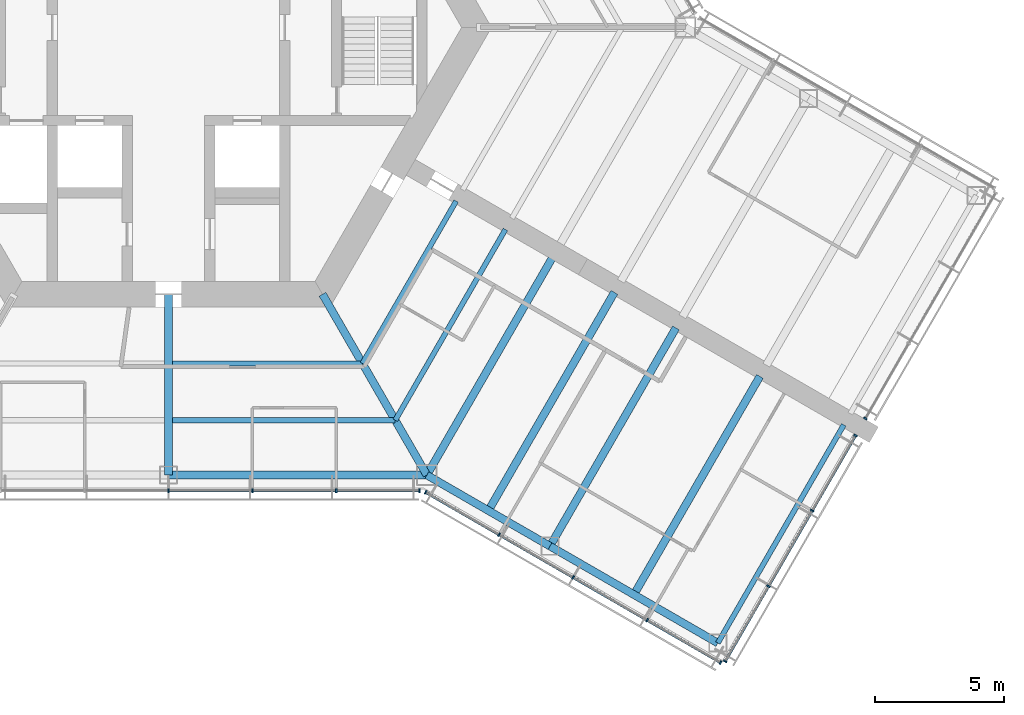
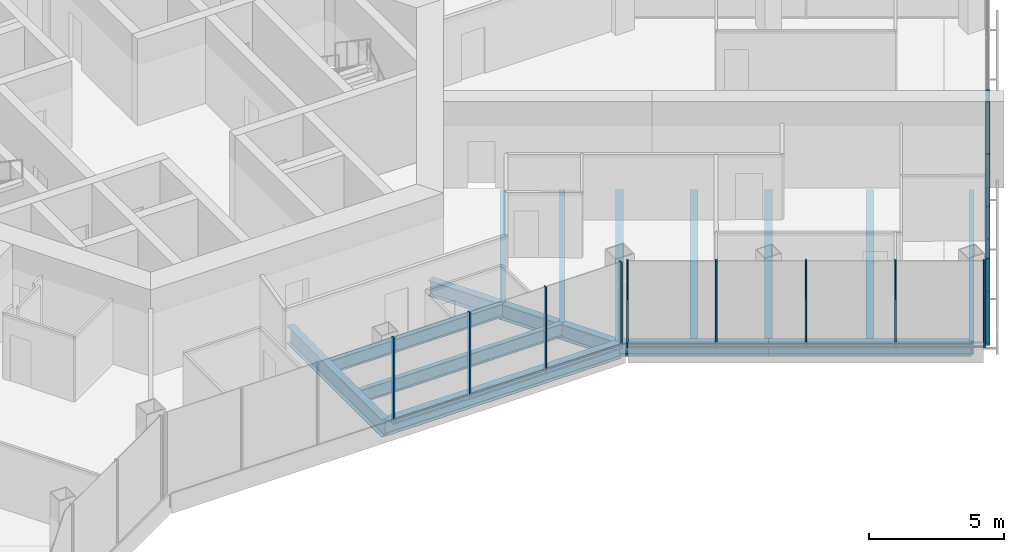
# One storey, part 5 of 19: 24 members, 14 beams, 4 elements without a shape of their own.
"""IFC4 building model written with IfcOpenShell, lengths in metres."""

from ifc_helpers import new_model, si_unit, direction, frame, origin, origin_2d, place, context, subcontext, project, spatial, rectangle, i_section, extrude, material, material_profile, profile_set, type_object, element, aggregate, save


model = new_model("IFC4")

# Units and contexts
model_context = context("Model", 3, precision=1e-05, world=origin(), true_north=direction((0.0, 1.0)))
body_context = subcontext(model_context, "Body", "Model", "MODEL_VIEW")
ifc_project = project(units=[si_unit("LENGTHUNIT", "METRE"), si_unit("AREAUNIT", "SQUARE_METRE"), si_unit("VOLUMEUNIT", "CUBIC_METRE"), si_unit("PLANEANGLEUNIT", "RADIAN"), si_unit("MASSUNIT", "GRAM", prefix="KILO")], contexts=[model_context])

# Site, building, storey
site_placement = place(None, origin())
site = spatial("IfcSite", under=ifc_project, at=site_placement, CompositionType="ELEMENT")
building_placement = place(site_placement, origin())
building = spatial("IfcBuilding", under=site, at=building_placement, Name="Kasaneha Research Tower", CompositionType="ELEMENT")
storey_placement = place(building_placement, frame((0.0, 0.0, 160.39990234375)))
storey = spatial("IfcBuildingStorey", under=building, at=storey_placement, Name="L40", CompositionType="ELEMENT", Elevation=160.39990234375)

# Beams
ifc_material_1 = material(Name="Steel SN490B", Category="steel")
ifc_material_profile_1 = material_profile(ifc_material_1, i_section(OverallWidth=0.199951171875, OverallDepth=0.60009765625, WebThickness=0.010986328125, FlangeThickness=0.01708984375, FilletRadius=0.012939453125, at=origin_2d()), Name="H-600x200x11x17")
ifc_profile_set_1 = profile_set([ifc_material_profile_1], Name="Steel SN490B")
beam_type_1 = type_object("IfcBeamType", Name="B1-3 secondary beam H-600x200x11x17", PredefinedType="JOIST", material=ifc_profile_set_1)
beam_1_placement = place(storey_placement, frame((7.505615234375, -13.0, -0.449951171875), z_axis=(-1.0, 0.0, 0.0), x_axis=(0.0, -1.0, 0.0)))
element("IfcBeam", 1, at=beam_1_placement, inside=storey, type_object=beam_type_1, Name="Secondary beam RS270R1 L40", PredefinedType="JOIST", context=body_context, shape_type="SweptSolid", body=[
    extrude(i_section(OverallWidth=0.199951171875, OverallDepth=0.60009765625, WebThickness=0.010986328125, FlangeThickness=0.01708984375, FilletRadius=0.012939453125, at=origin_2d()), origin(), (0.0, 0.0, 1.0), 7.355712890625),
])
beam_2_placement = place(storey_placement, frame((8.775634765625, -15.199951171875, -0.449951171875), z_axis=(-1.0, 0.0, 0.0), x_axis=(0.0, -1.0, 0.0)))
element("IfcBeam", 2, at=beam_2_placement, inside=storey, type_object=beam_type_1, Name="Secondary beam RS270R2 L40", PredefinedType="JOIST", context=body_context, shape_type="SweptSolid", body=[
    extrude(i_section(OverallWidth=0.199951171875, OverallDepth=0.60009765625, WebThickness=0.010986328125, FlangeThickness=0.01708984375, FilletRadius=0.012939453125, at=origin_2d()), origin(), (0.0, 0.0, 1.0), 8.625732421875),
])
beam_3_placement = place(storey_placement, frame((7.505615234375, -13.0, -0.449951171875), z_axis=(0.499993340521, 0.866029248602, 0.0), x_axis=(-0.866029248602, 0.499993340521, 0.0)))
element("IfcBeam", 3, at=beam_3_placement, inside=storey, type_object=beam_type_1, Name="Secondary beam RS330L1 L40", PredefinedType="JOIST", context=body_context, shape_type="SweptSolid", body=[
    extrude(i_section(OverallWidth=0.199951171875, OverallDepth=0.60009765625, WebThickness=0.010986328125, FlangeThickness=0.01708984375, FilletRadius=0.012939453125, at=origin_2d()), origin(), (0.0, 0.0, 1.0), 7.25537109375),
])
beam_4_placement = place(storey_placement, frame((8.775634765625, -15.199951171875, -0.449951171875), z_axis=(0.500004205306, 0.866022975836, 0.0), x_axis=(-0.866022975836, 0.500004205306, 0.0)))
element("IfcBeam", 4, at=beam_4_placement, inside=storey, type_object=beam_type_1, Name="Secondary beam RS330L2 L40", PredefinedType="JOIST", context=body_context, shape_type="SweptSolid", body=[
    extrude(i_section(OverallWidth=0.199951171875, OverallDepth=0.60009765625, WebThickness=0.010986328125, FlangeThickness=0.01708984375, FilletRadius=0.012939453125, at=origin_2d()), origin(), (0.0, 0.0, 1.0), 8.52587890625),
])
ifc_material_2 = material(Name="Steel SN490B", Category="steel")
ifc_material_profile_2 = material_profile(ifc_material_2, i_section(OverallWidth=0.300048828125, OverallDepth=0.58203125, WebThickness=0.011962890625, FlangeThickness=0.01708984375, FilletRadius=0.012939453125, at=origin_2d()), Name="H-582x300x12x17")
ifc_profile_set_2 = profile_set([ifc_material_profile_2], Name="Steel SN490B")
beam_type_2 = type_object("IfcBeamType", Name="B2-3 secondary beam H-582x300x12x17", PredefinedType="JOIST", material=ifc_profile_set_2)
for number, where, z_axis, x_axis, name in (
    (5, (12.381591796875, -18.695556640625, -0.44091796875), (0.499995560238, 0.866027967067, 0.0), (-0.866027967067, 0.499995560238, 0.0), "Secondary beam WBCP1 L40"),
    (6, (18.0107421875, -21.945556640625, -0.44091796875), (0.499995560238, 0.866027967067, 0.0), (-0.866027967067, 0.499995560238, 0.0), "Secondary beam WBCP2 L40"),
):
    element("IfcBeam", number, at=place(storey_placement, frame(where, z_axis=z_axis, x_axis=x_axis)), inside=storey, type_object=beam_type_2, Name=name, PredefinedType="JOIST", context=body_context, shape_type="SweptSolid", body=[
        extrude(i_section(OverallWidth=0.300048828125, OverallDepth=0.58203125, WebThickness=0.011962890625, FlangeThickness=0.01708984375, FilletRadius=0.012939453125, at=origin_2d()), origin(), (0.0, 0.0, 1.0), 9.75),
    ])

# Curtain wall, members
ifc_material_3 = material(Name="Glass and aluminium", Category="aluminium")
curtain_wall_type = type_object("IfcCurtainWallType", Name="Mid-rise office curtain wall", PredefinedType="USERDEFINED", material=ifc_material_3)
curtain_wall_1_placement = place(storey_placement, origin())
curtain_wall_1 = element("IfcCurtainWall", 7, at=curtain_wall_1_placement, inside=storey, type_object=curtain_wall_type, Name="CW-O2 L40 run 01a", ObjectType="UNITISED CURTAIN WALL", PredefinedType="USERDEFINED")
ifc_material_4 = material(Name="Aluminium 6063-T6", Category="aluminium")
ifc_material_profile_3 = material_profile(ifc_material_4, rectangle(XDim=0.06005859375, YDim=0.14990234375, at=origin_2d()), Name="CW-O2 mullion 60x150")
ifc_profile_set_3 = profile_set([ifc_material_profile_3], Name="Aluminium 6063-T6")
member_type_1 = type_object("IfcMemberType", Name="CW-O2 mullion", PredefinedType="MULLION", material=ifc_profile_set_3)
member_1_placement = place(storey_placement, frame((0.0, -17.92041015625, 0.0), z_axis=(0.0, 0.0, 1.0), x_axis=(1.0, 0.0, 0.0)))
member_1 = element("IfcMember", 8, at=member_1_placement, type_object=member_type_1, Name="CW-O2 mullion 4", PredefinedType="MULLION", context=body_context, shape_type="SweptSolid", body=[
    extrude(rectangle(XDim=0.06005859375, YDim=0.14990234375, at=origin_2d()), origin(), (0.0, 0.0, 1.0), 3.900146484375),
])
member_2_placement = place(storey_placement, frame((3.246337890625, -17.92041015625, 0.0), z_axis=(0.0, 0.0, 1.0), x_axis=(1.0, 0.0, 0.0)))
member_2 = element("IfcMember", 9, at=member_2_placement, type_object=member_type_1, Name="CW-O2 mullion 5", PredefinedType="MULLION", context=body_context, shape_type="SweptSolid", body=[
    extrude(rectangle(XDim=0.06005859375, YDim=0.14990234375, at=origin_2d()), origin(), (0.0, 0.0, 1.0), 3.900146484375),
])
member_3_placement = place(storey_placement, frame((6.492919921875, -17.92041015625, 0.0), z_axis=(0.0, 0.0, 1.0), x_axis=(1.0, 0.0, 0.0)))
member_3 = element("IfcMember", 10, at=member_3_placement, type_object=member_type_1, Name="CW-O2 mullion 6", PredefinedType="MULLION", context=body_context, shape_type="SweptSolid", body=[
    extrude(rectangle(XDim=0.06005859375, YDim=0.14990234375, at=origin_2d()), origin(), (0.0, 0.0, 1.0), 3.900146484375),
])
member_4_placement = place(storey_placement, frame((9.709228515625, -17.92041015625, 0.0), z_axis=(0.0, 0.0, 1.0), x_axis=(1.0, 0.0, 0.0)))
member_4 = element("IfcMember", 11, at=member_4_placement, type_object=member_type_1, Name="CW-O2 mullion 7", PredefinedType="MULLION", context=body_context, shape_type="SweptSolid", body=[
    extrude(rectangle(XDim=0.06005859375, YDim=0.14990234375, at=origin_2d()), origin(), (0.0, 0.0, 1.0), 3.900146484375),
])

curtain_wall_2_placement = place(storey_placement, origin())
curtain_wall_2 = element("IfcCurtainWall", 12, at=curtain_wall_2_placement, inside=storey, type_object=curtain_wall_type, Name="CW-O2 L40 run 02a", ObjectType="UNITISED CURTAIN WALL", PredefinedType="USERDEFINED")
member_5_placement = place(storey_placement, frame((9.951904296875, -17.985595703125, 0.0), z_axis=(0.0, 0.0, 1.0), x_axis=(0.866025411464, -0.499999986699, 0.0)))
member_5 = element("IfcMember", 13, at=member_5_placement, type_object=member_type_1, Name="CW-O2 mullion 1", PredefinedType="MULLION", context=body_context, shape_type="SweptSolid", body=[
    extrude(rectangle(XDim=0.06005859375, YDim=0.14990234375, at=origin_2d()), origin(), (0.0, 0.0, 1.0), 3.900146484375),
])
member_6_placement = place(storey_placement, frame((12.792236328125, -19.62548828125, 0.0), z_axis=(0.0, 0.0, 1.0), x_axis=(0.866025411464, -0.499999986699, 0.0)))
member_6 = element("IfcMember", 14, at=member_6_placement, type_object=member_type_1, Name="CW-O2 mullion 2", PredefinedType="MULLION", context=body_context, shape_type="SweptSolid", body=[
    extrude(rectangle(XDim=0.06005859375, YDim=0.14990234375, at=origin_2d()), origin(), (0.0, 0.0, 1.0), 3.900146484375),
])
member_7_placement = place(storey_placement, frame((15.65869140625, -21.2802734375, 0.0), z_axis=(0.0, 0.0, 1.0), x_axis=(0.866025411464, -0.499999986699, 0.0)))
member_7 = element("IfcMember", 15, at=member_7_placement, type_object=member_type_1, Name="CW-O2 mullion 3", PredefinedType="MULLION", context=body_context, shape_type="SweptSolid", body=[
    extrude(rectangle(XDim=0.06005859375, YDim=0.14990234375, at=origin_2d()), origin(), (0.0, 0.0, 1.0), 3.900146484375),
])
member_8_placement = place(storey_placement, frame((18.52490234375, -22.935302734375, 0.0), z_axis=(0.0, 0.0, 1.0), x_axis=(0.866025411464, -0.499999986699, 0.0)))
member_8 = element("IfcMember", 16, at=member_8_placement, type_object=member_type_1, Name="CW-O2 mullion 4", PredefinedType="MULLION", context=body_context, shape_type="SweptSolid", body=[
    extrude(rectangle(XDim=0.06005859375, YDim=0.14990234375, at=origin_2d()), origin(), (0.0, 0.0, 1.0), 3.900146484375),
])
member_9_placement = place(storey_placement, frame((21.365478515625, -24.5751953125, 0.0), z_axis=(0.0, 0.0, 1.0), x_axis=(0.866025411464, -0.499999986699, 0.0)))
member_9 = element("IfcMember", 17, at=member_9_placement, type_object=member_type_1, Name="CW-O2 mullion 5", PredefinedType="MULLION", context=body_context, shape_type="SweptSolid", body=[
    extrude(rectangle(XDim=0.06005859375, YDim=0.14990234375, at=origin_2d()), origin(), (0.0, 0.0, 1.0), 3.900146484375),
])

curtain_wall_3_placement = place(storey_placement, origin())
curtain_wall_3 = element("IfcCurtainWall", 18, at=curtain_wall_3_placement, inside=storey, type_object=curtain_wall_type, Name="CW-O2 L40 run 03a", ObjectType="UNITISED CURTAIN WALL", PredefinedType="USERDEFINED")
member_10_placement = place(storey_placement, frame((21.54296875, -24.527587890625, 0.0), z_axis=(0.0, 0.0, 1.0), x_axis=(0.500000011442, 0.866025397178, 0.0)))
member_10 = element("IfcMember", 19, at=member_10_placement, type_object=member_type_1, Name="CW-O2 mullion 1", PredefinedType="MULLION", context=body_context, shape_type="SweptSolid", body=[
    extrude(rectangle(XDim=0.06005859375, YDim=0.14990234375, at=origin_2d()), origin(), (0.0, 0.0, 1.0), 3.900146484375),
])
member_11_placement = place(storey_placement, frame((23.2197265625, -21.62353515625, 0.0), z_axis=(0.0, 0.0, 1.0), x_axis=(0.500000011442, 0.866025397178, 0.0)))
member_11 = element("IfcMember", 20, at=member_11_placement, type_object=member_type_1, Name="CW-O2 mullion 2", PredefinedType="MULLION", context=body_context, shape_type="SweptSolid", body=[
    extrude(rectangle(XDim=0.06005859375, YDim=0.14990234375, at=origin_2d()), origin(), (0.0, 0.0, 1.0), 3.900146484375),
])
member_12_placement = place(storey_placement, frame((24.911376953125, -18.693359375, 0.0), z_axis=(0.0, 0.0, 1.0), x_axis=(0.500000011442, 0.866025397178, 0.0)))
member_12 = element("IfcMember", 21, at=member_12_placement, type_object=member_type_1, Name="CW-O2 mullion 3", PredefinedType="MULLION", context=body_context, shape_type="SweptSolid", body=[
    extrude(rectangle(XDim=0.06005859375, YDim=0.14990234375, at=origin_2d()), origin(), (0.0, 0.0, 1.0), 3.900146484375),
])
member_13_placement = place(storey_placement, frame((26.587890625, -15.789306640625, 0.0), z_axis=(0.0, 0.0, 1.0), x_axis=(0.500000011442, 0.866025397178, 0.0)))
member_13 = element("IfcMember", 22, at=member_13_placement, type_object=member_type_1, Name="CW-O2 mullion 4", PredefinedType="MULLION", context=body_context, shape_type="SweptSolid", body=[
    extrude(rectangle(XDim=0.06005859375, YDim=0.14990234375, at=origin_2d()), origin(), (0.0, 0.0, 1.0), 3.900146484375),
])

# Curtain wall, member
curtain_wall_4_placement = place(storey_placement, origin())
curtain_wall_4 = element("IfcCurtainWall", 23, at=curtain_wall_4_placement, inside=storey, type_object=curtain_wall_type, Name="CW-O2 L40 run 04a", ObjectType="UNITISED CURTAIN WALL", PredefinedType="USERDEFINED")
member_14_placement = place(storey_placement, frame((26.968017578125, -15.131103515625, 0.0), z_axis=(0.0, 0.0, 1.0), x_axis=(0.500000011442, 0.866025397178, 0.0)))
member_14 = element("IfcMember", 24, at=member_14_placement, type_object=member_type_1, Name="CW-O2 mullion 1", PredefinedType="MULLION", context=body_context, shape_type="SweptSolid", body=[
    extrude(rectangle(XDim=0.06005859375, YDim=0.14990234375, at=origin_2d()), origin(), (0.0, 0.0, 1.0), 3.900146484375),
])
aggregate(curtain_wall_4, [member_14])

# Member
ifc_material_5 = material(Name="Aluminium 6063-T6", Category="aluminium")
ifc_material_profile_4 = material_profile(ifc_material_5, rectangle(XDim=0.110107421875, YDim=0.06005859375, at=origin_2d()), Name="CW-O2 transom 110x60")
ifc_profile_set_4 = profile_set([ifc_material_profile_4], Name="Aluminium 6063-T6")
member_type_2 = type_object("IfcMemberType", Name="CW-O2 transom", PredefinedType="USERDEFINED", material=ifc_profile_set_4)
member_15_placement = place(storey_placement, frame((0.030029296875, -17.92041015625, 0.030029296875), z_axis=(1.0, 0.0, 0.0), x_axis=(0.0, 1.0, 0.0)))
member_15 = element("IfcMember", 25, at=member_15_placement, type_object=member_type_2, Name="CW-O2 transom 4", ObjectType="TRANSOM", PredefinedType="USERDEFINED", context=body_context, shape_type="SweptSolid", body=[
    extrude(rectangle(XDim=0.110107421875, YDim=0.06005859375, at=origin_2d()), origin(), (0.0, 0.0, 1.0), 3.186279296875),
])

member_16_placement = place(storey_placement, frame((3.2763671875, -17.92041015625, 0.030029296875), z_axis=(1.0, 0.0, 0.0), x_axis=(0.0, 1.0, 0.0)))
member_16 = element("IfcMember", 26, at=member_16_placement, type_object=member_type_2, Name="CW-O2 transom 5", ObjectType="TRANSOM", PredefinedType="USERDEFINED", context=body_context, shape_type="SweptSolid", body=[
    extrude(rectangle(XDim=0.110107421875, YDim=0.06005859375, at=origin_2d()), origin(), (0.0, 0.0, 1.0), 3.1865234375),
])

member_17_placement = place(storey_placement, frame((6.522705078125, -17.92041015625, 0.030029296875), z_axis=(1.0, 0.0, 0.0), x_axis=(0.0, 1.0, 0.0)))
member_17 = element("IfcMember", 27, at=member_17_placement, type_object=member_type_2, Name="CW-O2 transom 6", ObjectType="TRANSOM", PredefinedType="USERDEFINED", context=body_context, shape_type="SweptSolid", body=[
    extrude(rectangle(XDim=0.110107421875, YDim=0.06005859375, at=origin_2d()), origin(), (0.0, 0.0, 1.0), 3.156494140625),
])

aggregate(curtain_wall_1, [member_1, member_2, member_3, member_4, member_15, member_16, member_17])

member_18_placement = place(storey_placement, frame((9.977783203125, -18.00048828125, 0.030029296875), z_axis=(0.866022692473, -0.500004696101, 0.0), x_axis=(0.500004696101, 0.866022692473, 0.0)))
member_18 = element("IfcMember", 28, at=member_18_placement, type_object=member_type_2, Name="CW-O2 transom 1", ObjectType="TRANSOM", PredefinedType="USERDEFINED", context=body_context, shape_type="SweptSolid", body=[
    extrude(rectangle(XDim=0.110107421875, YDim=0.06005859375, at=origin_2d()), origin(), (0.0, 0.0, 1.0), 3.2197265625),
])

member_19_placement = place(storey_placement, frame((12.818115234375, -19.640380859375, 0.030029296875), z_axis=(0.866015446554, -0.500017246033, 0.0), x_axis=(0.500017246033, 0.866015446554, 0.0)))
member_19 = element("IfcMember", 29, at=member_19_placement, type_object=member_type_2, Name="CW-O2 transom 2", ObjectType="TRANSOM", PredefinedType="USERDEFINED", context=body_context, shape_type="SweptSolid", body=[
    extrude(rectangle(XDim=0.110107421875, YDim=0.06005859375, at=origin_2d()), origin(), (0.0, 0.0, 1.0), 3.25),
])

member_20_placement = place(storey_placement, frame((15.6845703125, -21.29541015625, 0.030029296875), z_axis=(0.86604797581, -0.499960902066, 0.0), x_axis=(0.499960902066, 0.86604797581, 0.0)))
member_20 = element("IfcMember", 30, at=member_20_placement, type_object=member_type_2, Name="CW-O2 transom 3", ObjectType="TRANSOM", PredefinedType="USERDEFINED", context=body_context, shape_type="SweptSolid", body=[
    extrude(rectangle(XDim=0.110107421875, YDim=0.06005859375, at=origin_2d()), origin(), (0.0, 0.0, 1.0), 3.249755859375),
])

member_21_placement = place(storey_placement, frame((18.551025390625, -22.9501953125, 0.030029296875), z_axis=(0.866022692473, -0.500004696101, 0.0), x_axis=(0.500004696101, 0.866022692473, 0.0)))
member_21 = element("IfcMember", 31, at=member_21_placement, type_object=member_type_2, Name="CW-O2 transom 4", ObjectType="TRANSOM", PredefinedType="USERDEFINED", context=body_context, shape_type="SweptSolid", body=[
    extrude(rectangle(XDim=0.110107421875, YDim=0.06005859375, at=origin_2d()), origin(), (0.0, 0.0, 1.0), 3.2197265625),
])

aggregate(curtain_wall_2, [member_5, member_6, member_7, member_8, member_9, member_18, member_19, member_20, member_21])

member_22_placement = place(storey_placement, frame((21.557861328125, -24.50146484375, 0.030029296875), z_axis=(0.500021914551, 0.866012751043, 0.0), x_axis=(-0.866012751043, 0.500021914551, 0.0)))
member_22 = element("IfcMember", 32, at=member_22_placement, type_object=member_type_2, Name="CW-O2 transom 1", ObjectType="TRANSOM", PredefinedType="USERDEFINED", context=body_context, shape_type="SweptSolid", body=[
    extrude(rectangle(XDim=0.110107421875, YDim=0.06005859375, at=origin_2d()), origin(), (0.0, 0.0, 1.0), 3.293212890625),
])

member_23_placement = place(storey_placement, frame((23.234619140625, -21.597412109375, 0.030029296875), z_axis=(0.500010745865, 0.866019199568, 0.0), x_axis=(-0.866019199568, 0.500010745865, 0.0)))
member_23 = element("IfcMember", 33, at=member_23_placement, type_object=member_type_2, Name="CW-O2 transom 2", ObjectType="TRANSOM", PredefinedType="USERDEFINED", context=body_context, shape_type="SweptSolid", body=[
    extrude(rectangle(XDim=0.110107421875, YDim=0.06005859375, at=origin_2d()), origin(), (0.0, 0.0, 1.0), 3.3232421875),
])

member_24_placement = place(storey_placement, frame((24.92626953125, -18.66748046875, 0.030029296875), z_axis=(0.500021914551, 0.866012751043, 0.0), x_axis=(-0.866012751043, 0.500021914551, 0.0)))
member_24 = element("IfcMember", 34, at=member_24_placement, type_object=member_type_2, Name="CW-O2 transom 3", ObjectType="TRANSOM", PredefinedType="USERDEFINED", context=body_context, shape_type="SweptSolid", body=[
    extrude(rectangle(XDim=0.110107421875, YDim=0.06005859375, at=origin_2d()), origin(), (0.0, 0.0, 1.0), 3.293212890625),
])

aggregate(curtain_wall_3, [member_10, member_11, member_12, member_13, member_22, member_23, member_24])

# Beams
ifc_material_6 = material(Name="Steel SN490B", Category="steel")
ifc_material_profile_5 = material_profile(ifc_material_6, i_section(OverallWidth=0.300048828125, OverallDepth=0.699951171875, WebThickness=0.012939453125, FlangeThickness=0.02392578125, FilletRadius=0.01806640625, at=origin_2d()), Name="H-700x300x13x24")
ifc_profile_set_5 = profile_set([ifc_material_profile_5], Name="Steel SN490B")
beam_type_3 = type_object("IfcBeamType", Name="G1-3 radial girder H-700x300x13x24", PredefinedType="BEAM", material=ifc_profile_set_5)
beam_5_placement = place(storey_placement, frame((5.961181640625, -10.324951171875, -0.5), z_axis=(0.49999105496, -0.866030568144, 0.0), x_axis=(0.866030568144, 0.49999105496, 0.0)))
element("IfcBeam", 35, at=beam_5_placement, inside=storey, type_object=beam_type_3, Name="Radial girder RV300 L40", PredefinedType="BEAM", context=body_context, shape_type="SweptSolid", body=[
    extrude(i_section(OverallWidth=0.300048828125, OverallDepth=0.699951171875, WebThickness=0.012939453125, FlangeThickness=0.02392578125, FilletRadius=0.01806640625, at=origin_2d()), origin(), (0.0, 0.0, 1.0), 8.077880859375),
])
ifc_material_7 = material(Name="Steel SN490B", Category="steel")
ifc_material_profile_6 = material_profile(ifc_material_7, i_section(OverallWidth=0.300048828125, OverallDepth=0.800048828125, WebThickness=0.013916015625, FlangeThickness=0.02587890625, FilletRadius=0.01806640625, at=origin_2d()), Name="H-800x300x14x26")
ifc_profile_set_6 = profile_set([ifc_material_profile_6], Name="Steel SN490B")
beam_type_4 = type_object("IfcBeamType", Name="G2-3 radial girder H-800x300x14x26", PredefinedType="BEAM", material=ifc_profile_set_6)
beam_6_placement = place(storey_placement, frame((0.0, -10.324951171875, -0.5498046875), z_axis=(0.0, -1.0, 0.0), x_axis=(1.0, 0.0, 0.0)))
element("IfcBeam", 36, at=beam_6_placement, inside=storey, type_object=beam_type_4, Name="Radial girder RM270 L40", PredefinedType="BEAM", context=body_context, shape_type="SweptSolid", body=[
    extrude(i_section(OverallWidth=0.300048828125, OverallDepth=0.800048828125, WebThickness=0.013916015625, FlangeThickness=0.02587890625, FilletRadius=0.01806640625, at=origin_2d()), origin(), (0.0, 0.0, 1.0), 6.99560546875),
])
ifc_material_8 = material(Name="Steel SN490B", Category="steel")
ifc_material_profile_7 = material_profile(ifc_material_8, i_section(OverallWidth=0.300048828125, OverallDepth=0.69189453125, WebThickness=0.012939453125, FlangeThickness=0.02001953125, FilletRadius=0.01806640625, at=origin_2d()), Name="H-692x300x13x20")
ifc_profile_set_7 = profile_set([ifc_material_profile_7], Name="Steel SN490B")
beam_type_5 = type_object("IfcBeamType", Name="G3-3 plate edge girder H-692x300x13x20", PredefinedType="BEAM", material=ifc_profile_set_7)
beam_7_placement = place(storey_placement, frame((10.0, -17.320556640625, -0.495849609375), z_axis=(0.499995560238, 0.866027967067, 0.0), x_axis=(-0.866027967067, 0.499995560238, 0.0)))
element("IfcBeam", 37, at=beam_7_placement, inside=storey, type_object=beam_type_5, Name="Plate edge girder PECP L40", PredefinedType="BEAM", context=body_context, shape_type="SweptSolid", body=[
    extrude(i_section(OverallWidth=0.300048828125, OverallDepth=0.69189453125, WebThickness=0.012939453125, FlangeThickness=0.02001953125, FilletRadius=0.01806640625, at=origin_2d()), origin(), (0.0, 0.0, 1.0), 9.75),
])
ifc_material_9 = material(Name="Steel SN490B", Category="steel")
ifc_material_profile_8 = material_profile(ifc_material_9, i_section(OverallWidth=0.300048828125, OverallDepth=0.699951171875, WebThickness=0.012939453125, FlangeThickness=0.02392578125, FilletRadius=0.01806640625, at=origin_2d()), Name="H-700x300x13x24")
ifc_profile_set_8 = profile_set([ifc_material_profile_8], Name="Steel SN490B")
beam_type_6 = type_object("IfcBeamType", Name="G4-3 wing girder H-700x300x13x24", PredefinedType="BEAM", material=ifc_profile_set_8)
beam_8_placement = place(storey_placement, frame((14.76318359375, -20.070556640625, -0.5), z_axis=(0.499995560238, 0.866027967067, 0.0), x_axis=(-0.866027967067, 0.499995560238, 0.0)))
element("IfcBeam", 38, at=beam_8_placement, inside=storey, type_object=beam_type_6, Name="Wing girder WGCP L40", PredefinedType="BEAM", context=body_context, shape_type="SweptSolid", body=[
    extrude(i_section(OverallWidth=0.300048828125, OverallDepth=0.699951171875, WebThickness=0.012939453125, FlangeThickness=0.02392578125, FilletRadius=0.01806640625, at=origin_2d()), origin(), (0.0, 0.0, 1.0), 9.75),
])
ifc_material_10 = material(Name="Steel SN490B", Category="steel")
ifc_material_profile_9 = material_profile(ifc_material_10, i_section(OverallWidth=0.300048828125, OverallDepth=0.69189453125, WebThickness=0.012939453125, FlangeThickness=0.02001953125, FilletRadius=0.01806640625, at=origin_2d()), Name="H-692x300x13x20")
ifc_profile_set_9 = profile_set([ifc_material_profile_9], Name="Steel SN490B")
beam_type_7 = type_object("IfcBeamType", Name="SB1-3 spandrel beam H-692x300x13x20", PredefinedType="SPANDREL", material=ifc_profile_set_9)
beam_9_placement = place(storey_placement, frame((10.0, -17.320556640625, -0.495849609375), z_axis=(-1.0, 0.0, 0.0), x_axis=(0.0, -1.0, 0.0)))
element("IfcBeam", 39, at=beam_9_placement, inside=storey, type_object=beam_type_7, Name="Spandrel beam SR270R L40", PredefinedType="SPANDREL", context=body_context, shape_type="SweptSolid", body=[
    extrude(i_section(OverallWidth=0.300048828125, OverallDepth=0.69189453125, WebThickness=0.012939453125, FlangeThickness=0.02001953125, FilletRadius=0.01806640625, at=origin_2d()), origin(), (0.0, 0.0, 1.0), 10.0),
])
ifc_material_11 = material(Name="Steel SN490B", Category="steel")
ifc_material_profile_10 = material_profile(ifc_material_11, i_section(OverallWidth=0.300048828125, OverallDepth=0.58203125, WebThickness=0.011962890625, FlangeThickness=0.01708984375, FilletRadius=0.012939453125, at=origin_2d()), Name="H-582x300x12x17")
ifc_profile_set_10 = profile_set([ifc_material_profile_10], Name="Steel SN490B")
beam_type_8 = type_object("IfcBeamType", Name="SB2-3 spandrel beam H-582x300x12x17", PredefinedType="SPANDREL", material=ifc_profile_set_10)
beam_10_placement = place(storey_placement, frame((10.0, -17.320556640625, -0.44091796875), z_axis=(0.866027397988, -0.499996545922, 0.0), x_axis=(0.499996545922, 0.866027397988, 0.0)))
element("IfcBeam", 40, at=beam_10_placement, inside=storey, type_object=beam_type_8, Name="Spandrel beam WSCP1 L40", PredefinedType="SPANDREL", context=body_context, shape_type="SweptSolid", body=[
    extrude(i_section(OverallWidth=0.300048828125, OverallDepth=0.58203125, WebThickness=0.011962890625, FlangeThickness=0.01708984375, FilletRadius=0.012939453125, at=origin_2d()), origin(), (0.0, 0.0, 1.0), 5.5),
])
beam_11_placement = place(storey_placement, frame((14.76318359375, -20.070556640625, -0.44091796875), z_axis=(0.866022959057, -0.500004234368, 0.0), x_axis=(0.500004234368, 0.866022959057, 0.0)))
element("IfcBeam", 41, at=beam_11_placement, inside=storey, type_object=beam_type_8, Name="Spandrel beam WSCP2 L40", PredefinedType="SPANDREL", context=body_context, shape_type="SweptSolid", body=[
    extrude(i_section(OverallWidth=0.300048828125, OverallDepth=0.58203125, WebThickness=0.011962890625, FlangeThickness=0.01708984375, FilletRadius=0.012939453125, at=origin_2d()), origin(), (0.0, 0.0, 1.0), 7.5),
])
ifc_material_12 = material(Name="Steel SN490B", Category="steel")
ifc_material_profile_11 = material_profile(ifc_material_12, i_section(OverallWidth=0.199951171875, OverallDepth=0.60009765625, WebThickness=0.010986328125, FlangeThickness=0.01708984375, FilletRadius=0.012939453125, at=origin_2d()), Name="H-600x200x11x17")
ifc_profile_set_11 = profile_set([ifc_material_profile_11], Name="Steel SN490B")
beam_type_9 = type_object("IfcBeamType", Name="SB3-3 spandrel beam H-600x200x11x17", PredefinedType="SPANDREL", material=ifc_profile_set_11)
beam_12_placement = place(storey_placement, frame((21.25830078125, -23.820556640625, -0.449951171875), z_axis=(0.499995560238, 0.866027967067, 0.0), x_axis=(-0.866027967067, 0.499995560238, 0.0)))
element("IfcBeam", 42, at=beam_12_placement, inside=storey, type_object=beam_type_9, Name="Spandrel beam WTCP L40", PredefinedType="SPANDREL", context=body_context, shape_type="SweptSolid", body=[
    extrude(i_section(OverallWidth=0.199951171875, OverallDepth=0.60009765625, WebThickness=0.010986328125, FlangeThickness=0.01708984375, FilletRadius=0.012939453125, at=origin_2d()), origin(), (0.0, 0.0, 1.0), 9.75),
])

save(model, "model.ifc")
